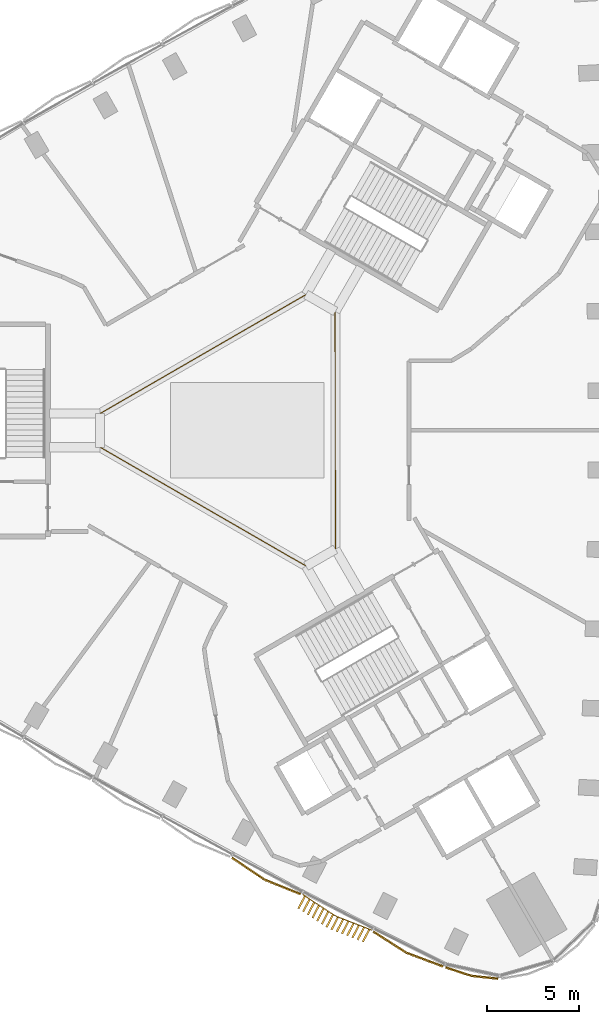
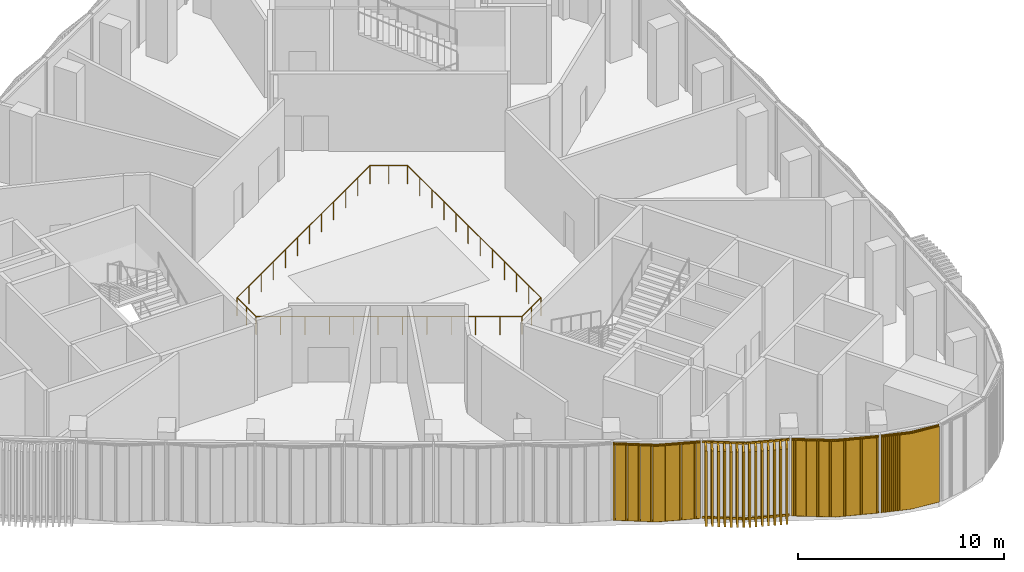
# One storey, part 13 of 17: 4 coverings, 1 railing.
"""IFC4 building model written with IfcOpenShell, lengths in metres."""

import ifcopenshell
import ifcopenshell.guid

model = None  # the IFC model being written
_history = None  # IfcOwnerHistory: only IFC2X3 demands one
_inside = {}  # id of a spatial element -> (the spatial element, [elements in it])
_under = {}  # id of a project, library or spatial element -> (it, [spatial elements below it])
_declared = {}  # id of a project -> (the project, [libraries it declares])
_typed = {}  # id of a type object -> (the type object, [elements of that type])
_made_of = {}  # id of a material, layer set ... -> (it, [elements and type objects made of it])


def new_model(schema):
    """Start an empty IFC model of exactly this schema.

    Asked for "IFC4X3", IfcOpenShell would pick the latest addendum, in which some entities
    have other attributes; the version numbers below select the first issue.
    IFC2X3 requires an IfcOwnerHistory on every rooted entity: one is made here for all.
    """
    global model, _history
    if schema == "IFC4X3":
        model = ifcopenshell.file(schema_version=(4, 3, 0, 0))
    else:
        model = ifcopenshell.file(schema=schema)
    _inside.clear()
    _under.clear()
    _declared.clear()
    _typed.clear()
    _made_of.clear()
    _history = None
    if model.schema == "IFC2X3":
        org = make("IfcOrganization", Name="unknown")
        user = make(
            "IfcPersonAndOrganization",
            ThePerson=make("IfcPerson", FamilyName="unknown"),
            TheOrganization=org,
        )
        app = make(
            "IfcApplication",
            ApplicationDeveloper=org,
            Version="unknown",
            ApplicationFullName="unknown",
            ApplicationIdentifier="unknown",
        )
        _history = make(
            "IfcOwnerHistory",
            OwningUser=user,
            OwningApplication=app,
            ChangeAction="ADDED",
            CreationDate=0,
        )
    return model


def make(cls, **values):
    """One entity of the class cls with the attributes given. An attribute that is None is left unset."""
    return model.create_entity(
        cls, **{name: value for name, value in values.items() if value is not None}
    )


def rooted(cls, **values):
    """An entity with a GlobalId (a new one), such as an element, a storey or a relation."""
    return make(cls, GlobalId=ifcopenshell.guid.new(), OwnerHistory=_history, **values)


def si_unit(unit_type, name, prefix=None):
    """IfcSIUnit, for example si_unit("LENGTHUNIT", "METRE", prefix="MILLI")."""
    return make("IfcSIUnit", UnitType=unit_type, Prefix=prefix, Name=name)


def assignment(units):
    """IfcUnitAssignment: the units of a project."""
    return None if units is None else make("IfcUnitAssignment", Units=units)


def point(xyz):
    """IfcCartesianPoint."""
    return None if xyz is None else make("IfcCartesianPoint", Coordinates=xyz)


def direction(xyz):
    """IfcDirection."""
    return None if xyz is None else make("IfcDirection", DirectionRatios=xyz)


def frame(location, z_axis=None, x_axis=None):
    """IfcAxis2Placement3D, a coordinate frame: its origin and axes. An axis left out is left unset."""
    return make(
        "IfcAxis2Placement3D",
        Location=point(location),
        Axis=direction(z_axis),
        RefDirection=direction(x_axis),
    )


def frame_2d(location, x_axis=None):
    """IfcAxis2Placement2D, a coordinate frame in the plane: its origin and x axis."""
    return make(
        "IfcAxis2Placement2D", Location=point(location), RefDirection=direction(x_axis)
    )


def origin():
    """The frame at (0, 0, 0) with its axes left unset."""
    return frame((0.0, 0.0, 0.0))


def origin_2d():
    """The frame at (0, 0) in the plane with its x axis left unset."""
    return frame_2d((0.0, 0.0))


def place(relative_to, where):
    """IfcLocalPlacement: puts the frame where relative to a parent placement (None: the world)."""
    return make(
        "IfcLocalPlacement", PlacementRelTo=relative_to, RelativePlacement=where
    )


def context(
    kind, dimensions, precision=None, world=None, true_north=None, identifier=None
):
    """IfcGeometricRepresentationContext, for example the 3D "Model" context."""
    return make(
        "IfcGeometricRepresentationContext",
        ContextIdentifier=identifier,
        ContextType=kind,
        CoordinateSpaceDimension=dimensions,
        Precision=precision,
        WorldCoordinateSystem=world,
        TrueNorth=true_north,
    )


def subcontext(parent, identifier, kind, view, scale=None):
    """IfcGeometricRepresentationSubContext, for example "Body" below "Model"."""
    return make(
        "IfcGeometricRepresentationSubContext",
        ContextIdentifier=identifier,
        ContextType=kind,
        ParentContext=parent,
        TargetScale=scale,
        TargetView=view,
    )


def project(units=None, contexts=None):
    """IfcProject with its units and contexts."""
    return rooted(
        "IfcProject",
        Name="project",
        RepresentationContexts=contexts,
        UnitsInContext=assignment(units),
    )


def spatial(cls, under=None, at=None, **own):
    """A site, building, storey or space (cls), placed at a placement, below another one or the project."""
    s = rooted(cls, ObjectPlacement=at, **own)
    if under is not None:
        _under.setdefault(under.id(), (under, []))[1].append(s)
    return s


def profile(cls, at=None, kind="AREA", **sizes):
    """A parametric profile (cls). Its sizes go by their IFC names, for example OverallWidth=200.0."""
    return make(cls, ProfileType=kind, Position=at, **sizes)


def rectangle(**sizes):
    """IfcRectangleProfileDef."""
    return profile("IfcRectangleProfileDef", **sizes)


def circle(**sizes):
    """IfcCircleProfileDef."""
    return profile("IfcCircleProfileDef", **sizes)


def extrude(swept, where, along, depth):
    """IfcExtrudedAreaSolid: the profile swept, set in the frame where, extruded along a direction by depth."""
    return make(
        "IfcExtrudedAreaSolid",
        SweptArea=swept,
        Position=where,
        ExtrudedDirection=direction(along),
        Depth=depth,
    )


def shape(context_of_items, identifier, shape_type, items):
    """IfcShapeRepresentation: the items that make up one representation, for example the "Body"."""
    return make(
        "IfcShapeRepresentation",
        ContextOfItems=context_of_items,
        RepresentationIdentifier=identifier,
        RepresentationType=shape_type,
        Items=items,
    )


def source(mapping_origin, context_of_items, identifier, shape_type, items):
    """IfcRepresentationMap: a shape defined once, which mapped items show again and again."""
    return make(
        "IfcRepresentationMap",
        MappingOrigin=mapping_origin,
        MappedRepresentation=shape(context_of_items, identifier, shape_type, items),
    )


def transform(
    local_origin,
    x_axis=None,
    y_axis=None,
    z_axis=None,
    scale=None,
    scale2=None,
    scale3=None,
    uniform=True,
):
    """IfcCartesianTransformationOperator3D, or its non-uniform kind. x_axis, y_axis, z_axis: its Axis1, 2, 3."""
    if uniform:
        return make(
            "IfcCartesianTransformationOperator3D",
            Axis1=direction(x_axis),
            Axis2=direction(y_axis),
            LocalOrigin=point(local_origin),
            Scale=scale,
            Axis3=direction(z_axis),
        )
    return make(
        "IfcCartesianTransformationOperator3DnonUniform",
        Axis1=direction(x_axis),
        Axis2=direction(y_axis),
        LocalOrigin=point(local_origin),
        Scale=scale,
        Axis3=direction(z_axis),
        Scale2=scale2,
        Scale3=scale3,
    )


def mapped(mapping_source, mapping_target):
    """IfcMappedItem: shows the shape of a source again, moved by a transform."""
    return make(
        "IfcMappedItem", MappingSource=mapping_source, MappingTarget=mapping_target
    )


def material(Name=None, Category=None):
    """IfcMaterial."""
    return make("IfcMaterial", Name=Name, Category=Category)


def made_of(thing, what):
    """Note that an element or type object is made of a material, layer set ...; save() writes the relation."""
    if what is not None:
        _made_of.setdefault(what.id(), (what, []))[1].append(thing)
    return thing


def type_object(cls, material=None, **own):
    """A type object (cls), such as IfcWallType, which elements share."""
    return made_of(rooted(cls, **own), material)


def element(
    cls,
    number,
    at=None,
    inside=None,
    cuts=None,
    type_object=None,
    material=None,
    context=None,
    identifier="Body",
    shape_type=None,
    held_by="IfcProductDefinitionShape",
    body=None,
    shapes=None,
    **own,
):
    """One element of the class cls, such as IfcWall. Its Tag is "e" and its number.

    at: its placement. inside: the storey or other place that contains it. cuts: it is an
    opening in that element (IfcRelVoidsElement). A single representation is given by context,
    identifier, shape_type and body (its items); several are given by shapes. held_by: the class
    of the entity that holds the representations. save() writes the other relations.
    """
    e = rooted(cls, Tag="e%d" % number, ObjectPlacement=at, **own)
    if body is not None:
        shapes = [shape(context, identifier, shape_type, body)]
    if shapes is not None:
        e.Representation = make(held_by, Representations=shapes)
    if inside is not None:
        _inside.setdefault(inside.id(), (inside, []))[1].append(e)
    if cuts is not None:
        rooted(
            "IfcRelVoidsElement", RelatingBuildingElement=cuts, RelatedOpeningElement=e
        )
    if type_object is not None:
        _typed.setdefault(type_object.id(), (type_object, []))[1].append(e)
    return made_of(e, material)


def aggregate(whole, parts):
    """IfcRelAggregates: a whole, such as a stair, and the parts it consists of."""
    return rooted("IfcRelAggregates", RelatingObject=whole, RelatedObjects=parts)


def save(model, path):
    """Write the relations noted so far, then the file.

    IfcRelAggregates (storeys below a building ...), IfcRelContainedInSpatialStructure (elements
    in a storey), IfcRelDefinesByType, IfcRelAssociatesMaterial and IfcRelDeclares: one each for
    every whole, place, type object, material and project.
    """
    for whole, parts in _under.values():
        aggregate(whole, parts)
    for where, things in _inside.values():
        rooted(
            "IfcRelContainedInSpatialStructure",
            RelatedElements=things,
            RelatingStructure=where,
        )
    for kind, things in _typed.values():
        rooted("IfcRelDefinesByType", RelatedObjects=things, RelatingType=kind)
    for what, things in _made_of.values():
        rooted("IfcRelAssociatesMaterial", RelatedObjects=things, RelatingMaterial=what)
    for by, libraries in _declared.values():
        rooted("IfcRelDeclares", RelatingContext=by, RelatedDefinitions=libraries)
    model.write(path)


model = new_model("IFC4")

# Units and contexts
model_context = context("Model", 3, precision=1e-05, world=origin(), true_north=direction((0.0, 1.0)))
body_context = subcontext(model_context, "Body", "Model", "MODEL_VIEW")
ifc_project = project(units=[si_unit("LENGTHUNIT", "METRE"), si_unit("AREAUNIT", "SQUARE_METRE"), si_unit("VOLUMEUNIT", "CUBIC_METRE"), si_unit("PLANEANGLEUNIT", "RADIAN"), si_unit("MASSUNIT", "GRAM", prefix="KILO")], contexts=[model_context])

# Site, building, storey
site_placement = place(None, origin())
site = spatial("IfcSite", under=ifc_project, at=site_placement, CompositionType="ELEMENT")
building_placement = place(site_placement, origin())
building = spatial("IfcBuilding", under=site, at=building_placement, Name="Tamra Quay Hotel Tower", CompositionType="ELEMENT")
storey_placement = place(building_placement, frame((0.0, 0.0, 123.800048828125)))
storey = spatial("IfcBuildingStorey", under=building, at=storey_placement, Name="L30", CompositionType="ELEMENT", Elevation=123.800048828125)

# Railing
ifc_material_1 = material(Name="Guard atrium edge 1100")
railing_type = type_object("IfcRailingType", Name="Guard atrium edge 1100", PredefinedType="GUARDRAIL", material=ifc_material_1)
railing_placement = place(storey_placement, frame((-7.990966796875, -0.925048828125, 0.0)))
element("IfcRailing", 1, at=railing_placement, inside=storey, type_object=railing_type, Name="G-A", PredefinedType="GUARDRAIL", context=body_context, shape_type="SweptSolid", body=[
    extrude(circle(Radius=0.02392578125, at=origin_2d()), frame((0.0, 0.0, 1.076171875), z_axis=(-0.003313434429, 0.999994510561, 0.0), x_axis=(-0.999994510561, -0.003313434429, 0.0)), (0.0, 0.0, 1.0), 1.842041015625),
    extrude(circle(Radius=0.02392578125, at=origin_2d()), frame((-0.006103515625, 1.842041015625, 1.076171875), z_axis=(0.865889083284, 0.500236039734, 0.0), x_axis=(-0.500236039734, 0.865889083284, 0.0)), (0.0, 0.0, 1.0), 12.919677734375),
    extrude(circle(Radius=0.02392578125, at=origin_2d()), frame((11.180908203125, 8.304931640625, 1.076171875), z_axis=(0.868234958541, -0.496153259353, 0.0), x_axis=(0.496153259353, 0.868234958541, 0.0)), (0.0, 0.0, 1.0), 1.8359375),
    extrude(circle(Radius=0.02392578125, at=origin_2d()), frame((12.77490234375, 7.39404296875, 1.076171875), z_axis=(0.001019771721, -0.999999480033, 0.0), x_axis=(0.999999480033, 0.001019771721, 0.0)), (0.0, 0.0, 1.0), 12.927978515625),
    extrude(circle(Radius=0.02392578125, at=origin_2d()), frame((12.7880859375, -5.533935546875, 1.076171875), z_axis=(-0.864949182157, -0.501859454714, 0.0), x_axis=(0.501859454714, -0.864949182157, 0.0)), (0.0, 0.0, 1.0), 1.8349609375),
    extrude(circle(Radius=0.02392578125, at=origin_2d()), frame((11.200927734375, -6.454833984375, 1.076171875), z_axis=(-0.870613690949, 0.491967276485, 0.0), x_axis=(-0.491967276485, -0.870613690949, 0.0)), (0.0, 0.0, 1.0), 1.072998046875),
    extrude(circle(Radius=0.02392578125, at=origin_2d()), frame((10.266845703125, -5.927001953125, 1.076171875), z_axis=(-0.866014375458, 0.500019101135, 0.0), x_axis=(-0.500019101135, -0.866014375458, 0.0)), (0.0, 0.0, 1.0), 11.849609375),
    extrude(circle(Radius=0.02392578125, at=origin_2d()), frame((0.0048828125, -0.001953125, 1.076171875), z_axis=(-0.928476690885, 0.371390676354, 0.0), x_axis=(-0.371390676354, -0.928476690885, 0.0)), (0.0, 0.0, 1.0), 0.00537109375),
    extrude(circle(Radius=0.02099609375, at=origin_2d()), origin(), (0.0, 0.0, 1.0), 1.052001953125),
    extrude(circle(Radius=0.02099609375, at=origin_2d()), frame((-0.0029296875, 0.9208984375, 0.0)), (0.0, 0.0, 1.0), 1.052001953125),
    extrude(circle(Radius=0.02099609375, at=origin_2d()), frame((-0.006103515625, 1.842041015625, 0.0)), (0.0, 0.0, 1.0), 1.052001953125),
    extrude(circle(Radius=0.02099609375, at=origin_2d()), frame((1.010986328125, 2.4296875, 0.0)), (0.0, 0.0, 1.0), 1.052001953125),
    extrude(circle(Radius=0.02099609375, at=origin_2d()), frame((2.02783203125, 3.01708984375, 0.0)), (0.0, 0.0, 1.0), 1.052001953125),
    extrude(circle(Radius=0.02099609375, at=origin_2d()), frame((3.044921875, 3.604736328125, 0.0)), (0.0, 0.0, 1.0), 1.052001953125),
    extrude(circle(Radius=0.02099609375, at=origin_2d()), frame((4.06201171875, 4.192138671875, 0.0)), (0.0, 0.0, 1.0), 1.052001953125),
    extrude(circle(Radius=0.02099609375, at=origin_2d()), frame((5.078857421875, 4.77978515625, 0.0)), (0.0, 0.0, 1.0), 1.052001953125),
    extrude(circle(Radius=0.02099609375, at=origin_2d()), frame((6.095947265625, 5.3671875, 0.0)), (0.0, 0.0, 1.0), 1.052001953125),
    extrude(circle(Radius=0.02099609375, at=origin_2d()), frame((7.11279296875, 5.954833984375, 0.0)), (0.0, 0.0, 1.0), 1.052001953125),
    extrude(circle(Radius=0.02099609375, at=origin_2d()), frame((8.1298828125, 6.542236328125, 0.0)), (0.0, 0.0, 1.0), 1.052001953125),
    extrude(circle(Radius=0.02099609375, at=origin_2d()), frame((9.14697265625, 7.1298828125, 0.0)), (0.0, 0.0, 1.0), 1.052001953125),
    extrude(circle(Radius=0.02099609375, at=origin_2d()), frame((10.163818359375, 7.71728515625, 0.0)), (0.0, 0.0, 1.0), 1.052001953125),
    extrude(circle(Radius=0.02099609375, at=origin_2d()), frame((11.180908203125, 8.304931640625, 0.0)), (0.0, 0.0, 1.0), 1.052001953125),
    extrude(circle(Radius=0.02099609375, at=origin_2d()), frame((11.97802734375, 7.849609375, 0.0)), (0.0, 0.0, 1.0), 1.052001953125),
    extrude(circle(Radius=0.02099609375, at=origin_2d()), frame((12.77490234375, 7.39404296875, 0.0)), (0.0, 0.0, 1.0), 1.052001953125),
    extrude(circle(Radius=0.02099609375, at=origin_2d()), frame((12.776123046875, 6.21875, 0.0)), (0.0, 0.0, 1.0), 1.052001953125),
    extrude(circle(Radius=0.02099609375, at=origin_2d()), frame((12.77734375, 5.04345703125, 0.0)), (0.0, 0.0, 1.0), 1.052001953125),
    extrude(circle(Radius=0.02099609375, at=origin_2d()), frame((12.778564453125, 3.8681640625, 0.0)), (0.0, 0.0, 1.0), 1.052001953125),
    extrude(circle(Radius=0.02099609375, at=origin_2d()), frame((12.77978515625, 2.69287109375, 0.0)), (0.0, 0.0, 1.0), 1.052001953125),
    extrude(circle(Radius=0.02099609375, at=origin_2d()), frame((12.781005859375, 1.517578125, 0.0)), (0.0, 0.0, 1.0), 1.052001953125),
    extrude(circle(Radius=0.02099609375, at=origin_2d()), frame((12.781982421875, 0.342529296875, 0.0)), (0.0, 0.0, 1.0), 1.052001953125),
    extrude(circle(Radius=0.02099609375, at=origin_2d()), frame((12.783203125, -0.832763671875, 0.0)), (0.0, 0.0, 1.0), 1.052001953125),
    extrude(circle(Radius=0.02099609375, at=origin_2d()), frame((12.784423828125, -2.008056640625, 0.0)), (0.0, 0.0, 1.0), 1.052001953125),
    extrude(circle(Radius=0.02099609375, at=origin_2d()), frame((12.78564453125, -3.183349609375, 0.0)), (0.0, 0.0, 1.0), 1.052001953125),
    extrude(circle(Radius=0.02099609375, at=origin_2d()), frame((12.786865234375, -4.358642578125, 0.0)), (0.0, 0.0, 1.0), 1.052001953125),
    extrude(circle(Radius=0.02099609375, at=origin_2d()), frame((12.7880859375, -5.533935546875, 0.0)), (0.0, 0.0, 1.0), 1.052001953125),
    extrude(circle(Radius=0.02099609375, at=origin_2d()), frame((11.99462890625, -5.994384765625, 0.0)), (0.0, 0.0, 1.0), 1.052001953125),
    extrude(circle(Radius=0.02099609375, at=origin_2d()), frame((11.200927734375, -6.454833984375, 0.0)), (0.0, 0.0, 1.0), 1.052001953125),
    extrude(circle(Radius=0.02099609375, at=origin_2d()), frame((10.266845703125, -5.927001953125, 0.0)), (0.0, 0.0, 1.0), 1.052001953125),
    extrude(circle(Radius=0.02099609375, at=origin_2d()), frame((9.24072265625, -5.33447265625, 0.0)), (0.0, 0.0, 1.0), 1.052001953125),
    extrude(circle(Radius=0.02099609375, at=origin_2d()), frame((8.21435546875, -4.741943359375, 0.0)), (0.0, 0.0, 1.0), 1.052001953125),
    extrude(circle(Radius=0.02099609375, at=origin_2d()), frame((7.188232421875, -4.1494140625, 0.0)), (0.0, 0.0, 1.0), 1.052001953125),
    extrude(circle(Radius=0.02099609375, at=origin_2d()), frame((6.162109375, -3.556884765625, 0.0)), (0.0, 0.0, 1.0), 1.052001953125),
    extrude(circle(Radius=0.02099609375, at=origin_2d()), frame((5.1357421875, -2.96435546875, 0.0)), (0.0, 0.0, 1.0), 1.052001953125),
    extrude(circle(Radius=0.02099609375, at=origin_2d()), frame((4.109619140625, -2.3720703125, 0.0)), (0.0, 0.0, 1.0), 1.052001953125),
    extrude(circle(Radius=0.02099609375, at=origin_2d()), frame((3.08349609375, -1.779541015625, 0.0)), (0.0, 0.0, 1.0), 1.052001953125),
    extrude(circle(Radius=0.02099609375, at=origin_2d()), frame((2.057373046875, -1.18701171875, 0.0)), (0.0, 0.0, 1.0), 1.052001953125),
    extrude(circle(Radius=0.02099609375, at=origin_2d()), frame((1.031005859375, -0.594482421875, 0.0)), (0.0, 0.0, 1.0), 1.052001953125),
    extrude(circle(Radius=0.02099609375, at=origin_2d()), frame((0.0048828125, -0.001953125, 0.0)), (0.0, 0.0, 1.0), 1.052001953125),
])

# Coverings
ifc_material_2 = material(Name="Terracotta baguette extruded", Category="masonry")
covering_type_1 = type_object("IfcCoveringType", Name="BAGUETTE SCREEN CORNER-SHALLOW H4600", PredefinedType="USERDEFINED", material=ifc_material_2)
shared_shape_1 = source(origin(), body_context, "Body", "SweptSolid", [
    extrude(rectangle(XDim=1.480712890625, YDim=0.06005859375, at=frame_2d((0.740234375, 0.030029296875))), frame((-1.478759765625, -0.0576171875, -0.1201171875), z_axis=(0.0, 0.0, 1.0), x_axis=(0.994521895368, -0.104528463268, 0.0)), (0.0, 0.0, 1.0), 0.1201171875),
    extrude(rectangle(XDim=1.480712890625, YDim=0.06005859375, at=frame_2d((0.740234375, 0.030029296875))), frame((-1.478759765625, -0.0576171875, -4.60009765625), z_axis=(0.0, 0.0, 1.0), x_axis=(0.994521895368, -0.104528463268, 0.0)), (0.0, 0.0, 1.0), 0.1201171875),
    extrude(rectangle(XDim=0.094970703125, YDim=0.10009765625, at=frame_2d((0.04736328125, 0.050048828125))), frame((-1.470947265625, -0.133056640625, -4.5400390625)), (0.0, 0.0, 1.0), 4.47998046875),
    extrude(rectangle(XDim=0.094970703125, YDim=0.10009765625, at=frame_2d((0.04736328125, 0.050048828125))), frame((-1.372802734375, -0.1435546875, -4.5400390625)), (0.0, 0.0, 1.0), 4.47998046875),
    extrude(rectangle(XDim=0.094970703125, YDim=0.10009765625, at=frame_2d((0.04736328125, 0.050048828125))), frame((-1.274658203125, -0.15380859375, -4.5400390625)), (0.0, 0.0, 1.0), 4.47998046875),
    extrude(rectangle(XDim=0.094970703125, YDim=0.10009765625, at=frame_2d((0.04736328125, 0.050048828125))), frame((-1.176513671875, -0.1640625, -4.5400390625)), (0.0, 0.0, 1.0), 4.47998046875),
    extrude(rectangle(XDim=0.094970703125, YDim=0.10009765625, at=frame_2d((0.04736328125, 0.050048828125))), frame((-1.078369140625, -0.17431640625, -4.5400390625)), (0.0, 0.0, 1.0), 4.47998046875),
    extrude(rectangle(XDim=0.094970703125, YDim=0.10009765625, at=frame_2d((0.04736328125, 0.050048828125))), frame((-0.97998046875, -0.184814453125, -4.5400390625)), (0.0, 0.0, 1.0), 4.47998046875),
    extrude(rectangle(XDim=0.094970703125, YDim=0.10009765625, at=frame_2d((0.04736328125, 0.050048828125))), frame((-0.8818359375, -0.195068359375, -4.5400390625)), (0.0, 0.0, 1.0), 4.47998046875),
    extrude(rectangle(XDim=0.094970703125, YDim=0.10009765625, at=frame_2d((0.04736328125, 0.050048828125))), frame((-0.78369140625, -0.205322265625, -4.5400390625)), (0.0, 0.0, 1.0), 4.47998046875),
    extrude(rectangle(XDim=0.094970703125, YDim=0.10009765625, at=frame_2d((0.04736328125, 0.050048828125))), frame((-0.685546875, -0.2158203125, -4.5400390625)), (0.0, 0.0, 1.0), 4.47998046875),
    extrude(rectangle(XDim=0.094970703125, YDim=0.10009765625, at=frame_2d((0.04736328125, 0.050048828125))), frame((-0.58740234375, -0.22607421875, -4.5400390625)), (0.0, 0.0, 1.0), 4.47998046875),
    extrude(rectangle(XDim=0.094970703125, YDim=0.10009765625, at=frame_2d((0.04736328125, 0.050048828125))), frame((-0.4892578125, -0.236328125, -4.5400390625)), (0.0, 0.0, 1.0), 4.47998046875),
    extrude(rectangle(XDim=0.094970703125, YDim=0.10009765625, at=frame_2d((0.04736328125, 0.050048828125))), frame((-0.39111328125, -0.24658203125, -4.5400390625)), (0.0, 0.0, 1.0), 4.47998046875),
    extrude(rectangle(XDim=0.094970703125, YDim=0.10009765625, at=frame_2d((0.04736328125, 0.050048828125))), frame((-0.29296875, -0.257080078125, -4.5400390625)), (0.0, 0.0, 1.0), 4.47998046875),
    extrude(rectangle(XDim=0.094970703125, YDim=0.10009765625, at=frame_2d((0.04736328125, 0.050048828125))), frame((-0.19482421875, -0.267333984375, -4.5400390625)), (0.0, 0.0, 1.0), 4.47998046875),
    extrude(rectangle(XDim=0.094970703125, YDim=0.10009765625, at=frame_2d((0.04736328125, 0.050048828125))), frame((-0.0966796875, -0.277587890625, -4.5400390625)), (0.0, 0.0, 1.0), 4.47998046875),
    extrude(rectangle(XDim=1.480712890625, YDim=0.06005859375, at=frame_2d((0.740234375, 0.030029296875))), frame((0.00634765625, -0.21240234375, -0.1201171875), z_axis=(0.0, 0.0, 1.0), x_axis=(0.994521895368, 0.104528463268, 0.0)), (0.0, 0.0, 1.0), 0.1201171875),
    extrude(rectangle(XDim=1.480712890625, YDim=0.06005859375, at=frame_2d((0.740234375, 0.030029296875))), frame((0.00634765625, -0.21240234375, -4.60009765625), z_axis=(0.0, 0.0, 1.0), x_axis=(0.994521895368, 0.104528463268, 0.0)), (0.0, 0.0, 1.0), 0.1201171875),
    extrude(rectangle(XDim=0.094970703125, YDim=0.10009765625, at=frame_2d((0.04736328125, 0.050048828125))), frame((0.00146484375, -0.277587890625, -4.5400390625)), (0.0, 0.0, 1.0), 4.47998046875),
    extrude(rectangle(XDim=0.094970703125, YDim=0.10009765625, at=frame_2d((0.04736328125, 0.050048828125))), frame((0.099853515625, -0.267333984375, -4.5400390625)), (0.0, 0.0, 1.0), 4.47998046875),
    extrude(rectangle(XDim=0.094970703125, YDim=0.10009765625, at=frame_2d((0.04736328125, 0.050048828125))), frame((0.197998046875, -0.257080078125, -4.5400390625)), (0.0, 0.0, 1.0), 4.47998046875),
    extrude(rectangle(XDim=0.094970703125, YDim=0.10009765625, at=frame_2d((0.04736328125, 0.050048828125))), frame((0.296142578125, -0.24658203125, -4.5400390625)), (0.0, 0.0, 1.0), 4.47998046875),
    extrude(rectangle(XDim=0.094970703125, YDim=0.10009765625, at=frame_2d((0.04736328125, 0.050048828125))), frame((0.394287109375, -0.236328125, -4.5400390625)), (0.0, 0.0, 1.0), 4.47998046875),
    extrude(rectangle(XDim=0.094970703125, YDim=0.10009765625, at=frame_2d((0.04736328125, 0.050048828125))), frame((0.492431640625, -0.22607421875, -4.5400390625)), (0.0, 0.0, 1.0), 4.47998046875),
    extrude(rectangle(XDim=0.094970703125, YDim=0.10009765625, at=frame_2d((0.04736328125, 0.050048828125))), frame((0.590576171875, -0.2158203125, -4.5400390625)), (0.0, 0.0, 1.0), 4.47998046875),
    extrude(rectangle(XDim=0.094970703125, YDim=0.10009765625, at=frame_2d((0.04736328125, 0.050048828125))), frame((0.688720703125, -0.205322265625, -4.5400390625)), (0.0, 0.0, 1.0), 4.47998046875),
    extrude(rectangle(XDim=0.094970703125, YDim=0.10009765625, at=frame_2d((0.04736328125, 0.050048828125))), frame((0.786865234375, -0.195068359375, -4.5400390625)), (0.0, 0.0, 1.0), 4.47998046875),
    extrude(rectangle(XDim=0.094970703125, YDim=0.10009765625, at=frame_2d((0.04736328125, 0.050048828125))), frame((0.885009765625, -0.184814453125, -4.5400390625)), (0.0, 0.0, 1.0), 4.47998046875),
    extrude(rectangle(XDim=0.094970703125, YDim=0.10009765625, at=frame_2d((0.04736328125, 0.050048828125))), frame((0.983154296875, -0.17431640625, -4.5400390625)), (0.0, 0.0, 1.0), 4.47998046875),
    extrude(rectangle(XDim=0.094970703125, YDim=0.10009765625, at=frame_2d((0.04736328125, 0.050048828125))), frame((1.081298828125, -0.1640625, -4.5400390625)), (0.0, 0.0, 1.0), 4.47998046875),
    extrude(rectangle(XDim=0.094970703125, YDim=0.10009765625, at=frame_2d((0.04736328125, 0.050048828125))), frame((1.1796875, -0.15380859375, -4.5400390625)), (0.0, 0.0, 1.0), 4.47998046875),
    extrude(rectangle(XDim=0.094970703125, YDim=0.10009765625, at=frame_2d((0.04736328125, 0.050048828125))), frame((1.27783203125, -0.1435546875, -4.5400390625)), (0.0, 0.0, 1.0), 4.47998046875),
    extrude(rectangle(XDim=0.094970703125, YDim=0.10009765625, at=frame_2d((0.04736328125, 0.050048828125))), frame((1.3759765625, -0.133056640625, -4.5400390625)), (0.0, 0.0, 1.0), 4.47998046875),
])
covering_1_placement = place(storey_placement, frame((12.231689453125, -29.460205078125, 4.599853515625), z_axis=(0.0, 0.0, 1.0), x_axis=(0.97746458206, -0.211099480856, 0.0)))
element("IfcCovering", 2, at=covering_1_placement, inside=storey, type_object=covering_type_1, Name="Baguette screen L30.SW.c11", ObjectType="BAGUETTE SCREEN", PredefinedType="USERDEFINED", context=body_context, shape_type="MappedRepresentation", body=[
    mapped(shared_shape_1, transform((0.0, 0.0, 0.0), scale=1.0)),
])
covering_type_2 = type_object("IfcCoveringType", Name="BAGUETTE SCREEN SW-SHALLOW H4600", PredefinedType="USERDEFINED", material=ifc_material_2)
shared_shape_2 = source(origin(), body_context, "Body", "SweptSolid", [
    extrude(rectangle(XDim=2.13427734375, YDim=0.06005859375, at=frame_2d((1.067138671875, 0.030029296875))), frame((-2.128662109375, -0.0576171875, -0.1201171875), z_axis=(0.0, 0.0, 1.0), x_axis=(0.994521895368, -0.104528463268, 0.0)), (0.0, 0.0, 1.0), 0.1201171875),
    extrude(rectangle(XDim=2.13427734375, YDim=0.06005859375, at=frame_2d((1.067138671875, 0.030029296875))), frame((-2.128662109375, -0.0576171875, -4.60009765625), z_axis=(0.0, 0.0, 1.0), x_axis=(0.994521895368, -0.104528463268, 0.0)), (0.0, 0.0, 1.0), 0.1201171875),
    extrude(rectangle(XDim=0.094970703125, YDim=0.10009765625, at=frame_2d((0.04736328125, 0.050048828125))), frame((-2.119384765625, -0.13330078125, -4.5400390625)), (0.0, 0.0, 1.0), 4.47998046875),
    extrude(rectangle(XDim=0.094970703125, YDim=0.10009765625, at=frame_2d((0.04736328125, 0.050048828125))), frame((-2.018310546875, -0.14404296875, -4.5400390625)), (0.0, 0.0, 1.0), 4.47998046875),
    extrude(rectangle(XDim=0.094970703125, YDim=0.10009765625, at=frame_2d((0.04736328125, 0.050048828125))), frame((-1.917236328125, -0.154541015625, -4.5400390625)), (0.0, 0.0, 1.0), 4.47998046875),
    extrude(rectangle(XDim=0.094970703125, YDim=0.10009765625, at=frame_2d((0.04736328125, 0.050048828125))), frame((-1.816162109375, -0.165283203125, -4.5400390625)), (0.0, 0.0, 1.0), 4.47998046875),
    extrude(rectangle(XDim=0.094970703125, YDim=0.10009765625, at=frame_2d((0.04736328125, 0.050048828125))), frame((-1.715087890625, -0.17578125, -4.5400390625)), (0.0, 0.0, 1.0), 4.47998046875),
    extrude(rectangle(XDim=0.094970703125, YDim=0.10009765625, at=frame_2d((0.04736328125, 0.050048828125))), frame((-1.614013671875, -0.1865234375, -4.5400390625)), (0.0, 0.0, 1.0), 4.47998046875),
    extrude(rectangle(XDim=0.094970703125, YDim=0.10009765625, at=frame_2d((0.04736328125, 0.050048828125))), frame((-1.512939453125, -0.197021484375, -4.5400390625)), (0.0, 0.0, 1.0), 4.47998046875),
    extrude(rectangle(XDim=0.094970703125, YDim=0.10009765625, at=frame_2d((0.04736328125, 0.050048828125))), frame((-1.411865234375, -0.207763671875, -4.5400390625)), (0.0, 0.0, 1.0), 4.47998046875),
    extrude(rectangle(XDim=0.094970703125, YDim=0.10009765625, at=frame_2d((0.04736328125, 0.050048828125))), frame((-1.310791015625, -0.21826171875, -4.5400390625)), (0.0, 0.0, 1.0), 4.47998046875),
    extrude(rectangle(XDim=0.094970703125, YDim=0.10009765625, at=frame_2d((0.04736328125, 0.050048828125))), frame((-1.209716796875, -0.22900390625, -4.5400390625)), (0.0, 0.0, 1.0), 4.47998046875),
    extrude(rectangle(XDim=0.094970703125, YDim=0.10009765625, at=frame_2d((0.04736328125, 0.050048828125))), frame((-1.108642578125, -0.239501953125, -4.5400390625)), (0.0, 0.0, 1.0), 4.47998046875),
    extrude(rectangle(XDim=0.094970703125, YDim=0.10009765625, at=frame_2d((0.04736328125, 0.050048828125))), frame((-1.007568359375, -0.250244140625, -4.5400390625)), (0.0, 0.0, 1.0), 4.47998046875),
    extrude(rectangle(XDim=0.094970703125, YDim=0.10009765625, at=frame_2d((0.04736328125, 0.050048828125))), frame((-0.906494140625, -0.2607421875, -4.5400390625)), (0.0, 0.0, 1.0), 4.47998046875),
    extrude(rectangle(XDim=0.094970703125, YDim=0.10009765625, at=frame_2d((0.04736328125, 0.050048828125))), frame((-0.805419921875, -0.271484375, -4.5400390625)), (0.0, 0.0, 1.0), 4.47998046875),
    extrude(rectangle(XDim=0.094970703125, YDim=0.10009765625, at=frame_2d((0.04736328125, 0.050048828125))), frame((-0.704345703125, -0.281982421875, -4.5400390625)), (0.0, 0.0, 1.0), 4.47998046875),
    extrude(rectangle(XDim=0.094970703125, YDim=0.10009765625, at=frame_2d((0.04736328125, 0.050048828125))), frame((-0.603271484375, -0.292724609375, -4.5400390625)), (0.0, 0.0, 1.0), 4.47998046875),
    extrude(rectangle(XDim=0.094970703125, YDim=0.10009765625, at=frame_2d((0.04736328125, 0.050048828125))), frame((-0.50244140625, -0.30322265625, -4.5400390625)), (0.0, 0.0, 1.0), 4.47998046875),
    extrude(rectangle(XDim=0.094970703125, YDim=0.10009765625, at=frame_2d((0.04736328125, 0.050048828125))), frame((-0.4013671875, -0.31396484375, -4.5400390625)), (0.0, 0.0, 1.0), 4.47998046875),
    extrude(rectangle(XDim=0.094970703125, YDim=0.10009765625, at=frame_2d((0.04736328125, 0.050048828125))), frame((-0.30029296875, -0.324462890625, -4.5400390625)), (0.0, 0.0, 1.0), 4.47998046875),
    extrude(rectangle(XDim=0.094970703125, YDim=0.10009765625, at=frame_2d((0.04736328125, 0.050048828125))), frame((-0.19921875, -0.335205078125, -4.5400390625)), (0.0, 0.0, 1.0), 4.47998046875),
    extrude(rectangle(XDim=0.094970703125, YDim=0.10009765625, at=frame_2d((0.04736328125, 0.050048828125))), frame((-0.09814453125, -0.345703125, -4.5400390625)), (0.0, 0.0, 1.0), 4.47998046875),
    extrude(rectangle(XDim=2.13427734375, YDim=0.06005859375, at=frame_2d((1.067138671875, 0.030029296875))), frame((0.00634765625, -0.28076171875, -0.1201171875), z_axis=(0.0, 0.0, 1.0), x_axis=(0.994521895368, 0.104528463268, 0.0)), (0.0, 0.0, 1.0), 0.1201171875),
    extrude(rectangle(XDim=2.13427734375, YDim=0.06005859375, at=frame_2d((1.067138671875, 0.030029296875))), frame((0.00634765625, -0.28076171875, -4.60009765625), z_axis=(0.0, 0.0, 1.0), x_axis=(0.994521895368, 0.104528463268, 0.0)), (0.0, 0.0, 1.0), 0.1201171875),
    extrude(rectangle(XDim=0.094970703125, YDim=0.10009765625, at=frame_2d((0.04736328125, 0.050048828125))), frame((0.0029296875, -0.345703125, -4.5400390625)), (0.0, 0.0, 1.0), 4.47998046875),
    extrude(rectangle(XDim=0.094970703125, YDim=0.10009765625, at=frame_2d((0.04736328125, 0.050048828125))), frame((0.10400390625, -0.335205078125, -4.5400390625)), (0.0, 0.0, 1.0), 4.47998046875),
    extrude(rectangle(XDim=0.094970703125, YDim=0.10009765625, at=frame_2d((0.04736328125, 0.050048828125))), frame((0.205078125, -0.324462890625, -4.5400390625)), (0.0, 0.0, 1.0), 4.47998046875),
    extrude(rectangle(XDim=0.094970703125, YDim=0.10009765625, at=frame_2d((0.04736328125, 0.050048828125))), frame((0.30615234375, -0.31396484375, -4.5400390625)), (0.0, 0.0, 1.0), 4.47998046875),
    extrude(rectangle(XDim=0.094970703125, YDim=0.10009765625, at=frame_2d((0.04736328125, 0.050048828125))), frame((0.4072265625, -0.30322265625, -4.5400390625)), (0.0, 0.0, 1.0), 4.47998046875),
    extrude(rectangle(XDim=0.094970703125, YDim=0.10009765625, at=frame_2d((0.04736328125, 0.050048828125))), frame((0.50830078125, -0.292724609375, -4.5400390625)), (0.0, 0.0, 1.0), 4.47998046875),
    extrude(rectangle(XDim=0.094970703125, YDim=0.10009765625, at=frame_2d((0.04736328125, 0.050048828125))), frame((0.609375, -0.281982421875, -4.5400390625)), (0.0, 0.0, 1.0), 4.47998046875),
    extrude(rectangle(XDim=0.094970703125, YDim=0.10009765625, at=frame_2d((0.04736328125, 0.050048828125))), frame((0.71044921875, -0.271484375, -4.5400390625)), (0.0, 0.0, 1.0), 4.47998046875),
    extrude(rectangle(XDim=0.094970703125, YDim=0.10009765625, at=frame_2d((0.04736328125, 0.050048828125))), frame((0.8115234375, -0.2607421875, -4.5400390625)), (0.0, 0.0, 1.0), 4.47998046875),
    extrude(rectangle(XDim=0.094970703125, YDim=0.10009765625, at=frame_2d((0.04736328125, 0.050048828125))), frame((0.91259765625, -0.250244140625, -4.5400390625)), (0.0, 0.0, 1.0), 4.47998046875),
    extrude(rectangle(XDim=0.094970703125, YDim=0.10009765625, at=frame_2d((0.04736328125, 0.050048828125))), frame((1.013671875, -0.239501953125, -4.5400390625)), (0.0, 0.0, 1.0), 4.47998046875),
    extrude(rectangle(XDim=0.094970703125, YDim=0.10009765625, at=frame_2d((0.04736328125, 0.050048828125))), frame((1.11474609375, -0.22900390625, -4.5400390625)), (0.0, 0.0, 1.0), 4.47998046875),
    extrude(rectangle(XDim=0.094970703125, YDim=0.10009765625, at=frame_2d((0.04736328125, 0.050048828125))), frame((1.2158203125, -0.21826171875, -4.5400390625)), (0.0, 0.0, 1.0), 4.47998046875),
    extrude(rectangle(XDim=0.094970703125, YDim=0.10009765625, at=frame_2d((0.04736328125, 0.050048828125))), frame((1.31689453125, -0.207763671875, -4.5400390625)), (0.0, 0.0, 1.0), 4.47998046875),
    extrude(rectangle(XDim=0.094970703125, YDim=0.10009765625, at=frame_2d((0.04736328125, 0.050048828125))), frame((1.41796875, -0.197021484375, -4.5400390625)), (0.0, 0.0, 1.0), 4.47998046875),
    extrude(rectangle(XDim=0.094970703125, YDim=0.10009765625, at=frame_2d((0.04736328125, 0.050048828125))), frame((1.51904296875, -0.1865234375, -4.5400390625)), (0.0, 0.0, 1.0), 4.47998046875),
    extrude(rectangle(XDim=0.094970703125, YDim=0.10009765625, at=frame_2d((0.04736328125, 0.050048828125))), frame((1.6201171875, -0.17578125, -4.5400390625)), (0.0, 0.0, 1.0), 4.47998046875),
    extrude(rectangle(XDim=0.094970703125, YDim=0.10009765625, at=frame_2d((0.04736328125, 0.050048828125))), frame((1.72119140625, -0.165283203125, -4.5400390625)), (0.0, 0.0, 1.0), 4.47998046875),
    extrude(rectangle(XDim=0.094970703125, YDim=0.10009765625, at=frame_2d((0.04736328125, 0.050048828125))), frame((1.822265625, -0.154541015625, -4.5400390625)), (0.0, 0.0, 1.0), 4.47998046875),
    extrude(rectangle(XDim=0.094970703125, YDim=0.10009765625, at=frame_2d((0.04736328125, 0.050048828125))), frame((1.92333984375, -0.14404296875, -4.5400390625)), (0.0, 0.0, 1.0), 4.47998046875),
    extrude(rectangle(XDim=0.094970703125, YDim=0.10009765625, at=frame_2d((0.04736328125, 0.050048828125))), frame((2.0244140625, -0.13330078125, -4.5400390625)), (0.0, 0.0, 1.0), 4.47998046875),
])
for number, where, z_axis, x_axis, name in (
    (3, (1.068359375, -24.184814453125, 4.599853515625), (0.0, 0.0, 1.0), (0.883391256151, -0.468636200647, 0.0), "Baguette screen L30.SW.f08"),
    (4, (8.783935546875, -28.16064453125, 4.599853515625), (0.0, 0.0, 1.0), (0.894304738207, -0.447458417309, 0.0), "Baguette screen L30.SW.f10"),
):
    element("IfcCovering", number, at=place(storey_placement, frame(where, z_axis=z_axis, x_axis=x_axis)), inside=storey, type_object=covering_type_2, Name=name, ObjectType="BAGUETTE SCREEN", PredefinedType="USERDEFINED", context=body_context, shape_type="MappedRepresentation", body=[
        mapped(shared_shape_2, transform((0.0, 0.0, 0.0), scale=1.0)),
    ])
covering_type_3 = type_object("IfcCoveringType", Name="BAGUETTE SCREEN SW-DEEP H4600", PredefinedType="USERDEFINED", material=ifc_material_2)
shared_shape_3 = source(origin(), body_context, "Body", "SweptSolid", [
    extrude(rectangle(XDim=2.13427734375, YDim=0.06005859375, at=frame_2d((1.067138671875, 0.030029296875))), frame((-2.128662109375, -0.0576171875, -0.1201171875), z_axis=(0.0, 0.0, 1.0), x_axis=(0.994521895368, -0.104528463268, 0.0)), (0.0, 0.0, 1.0), 0.1201171875),
    extrude(rectangle(XDim=2.13427734375, YDim=0.06005859375, at=frame_2d((1.067138671875, 0.030029296875))), frame((-2.128662109375, -0.0576171875, -4.60009765625), z_axis=(0.0, 0.0, 1.0), x_axis=(0.994521895368, -0.104528463268, 0.0)), (0.0, 0.0, 1.0), 0.1201171875),
    extrude(rectangle(XDim=0.10009765625, YDim=0.780029296875, at=frame_2d((0.050048828125, 0.39013671875))), frame((-2.02099609375, -0.823974609375, -4.5400390625)), (0.0, 0.0, 1.0), 4.47998046875),
    extrude(rectangle(XDim=0.10009765625, YDim=0.780029296875, at=frame_2d((0.050048828125, 0.39013671875))), frame((-1.7177734375, -0.855712890625, -4.5400390625)), (0.0, 0.0, 1.0), 4.47998046875),
    extrude(rectangle(XDim=0.10009765625, YDim=0.780029296875, at=frame_2d((0.050048828125, 0.39013671875))), frame((-1.41455078125, -0.8876953125, -4.5400390625)), (0.0, 0.0, 1.0), 4.47998046875),
    extrude(rectangle(XDim=0.10009765625, YDim=0.780029296875, at=frame_2d((0.050048828125, 0.39013671875))), frame((-1.111328125, -0.91943359375, -4.5400390625)), (0.0, 0.0, 1.0), 4.47998046875),
    extrude(rectangle(XDim=0.10009765625, YDim=0.780029296875, at=frame_2d((0.050048828125, 0.39013671875))), frame((-0.80810546875, -0.951416015625, -4.5400390625)), (0.0, 0.0, 1.0), 4.47998046875),
    extrude(rectangle(XDim=0.10009765625, YDim=0.780029296875, at=frame_2d((0.050048828125, 0.39013671875))), frame((-0.5048828125, -0.9833984375, -4.5400390625)), (0.0, 0.0, 1.0), 4.47998046875),
    extrude(rectangle(XDim=0.10009765625, YDim=0.780029296875, at=frame_2d((0.050048828125, 0.39013671875))), frame((-0.20166015625, -1.01513671875, -4.5400390625)), (0.0, 0.0, 1.0), 4.47998046875),
    extrude(rectangle(XDim=2.13427734375, YDim=0.06005859375, at=frame_2d((1.067138671875, 0.030029296875))), frame((0.00634765625, -0.28076171875, -0.1201171875), z_axis=(0.0, 0.0, 1.0), x_axis=(0.994521895368, 0.104528463268, 0.0)), (0.0, 0.0, 1.0), 0.1201171875),
    extrude(rectangle(XDim=2.13427734375, YDim=0.06005859375, at=frame_2d((1.067138671875, 0.030029296875))), frame((0.00634765625, -0.28076171875, -4.60009765625), z_axis=(0.0, 0.0, 1.0), x_axis=(0.994521895368, 0.104528463268, 0.0)), (0.0, 0.0, 1.0), 0.1201171875),
    extrude(rectangle(XDim=0.10009765625, YDim=0.780029296875, at=frame_2d((0.050048828125, 0.39013671875))), frame((0.1015625, -1.01513671875, -4.5400390625)), (0.0, 0.0, 1.0), 4.47998046875),
    extrude(rectangle(XDim=0.10009765625, YDim=0.780029296875, at=frame_2d((0.050048828125, 0.39013671875))), frame((0.40478515625, -0.9833984375, -4.5400390625)), (0.0, 0.0, 1.0), 4.47998046875),
    extrude(rectangle(XDim=0.10009765625, YDim=0.780029296875, at=frame_2d((0.050048828125, 0.39013671875))), frame((0.7080078125, -0.951416015625, -4.5400390625)), (0.0, 0.0, 1.0), 4.47998046875),
    extrude(rectangle(XDim=0.10009765625, YDim=0.780029296875, at=frame_2d((0.050048828125, 0.39013671875))), frame((1.01123046875, -0.91943359375, -4.5400390625)), (0.0, 0.0, 1.0), 4.47998046875),
    extrude(rectangle(XDim=0.10009765625, YDim=0.780029296875, at=frame_2d((0.050048828125, 0.39013671875))), frame((1.314453125, -0.8876953125, -4.5400390625)), (0.0, 0.0, 1.0), 4.47998046875),
    extrude(rectangle(XDim=0.10009765625, YDim=0.780029296875, at=frame_2d((0.050048828125, 0.39013671875))), frame((1.61767578125, -0.855712890625, -4.5400390625)), (0.0, 0.0, 1.0), 4.47998046875),
    extrude(rectangle(XDim=0.10009765625, YDim=0.780029296875, at=frame_2d((0.050048828125, 0.39013671875))), frame((1.9208984375, -0.823974609375, -4.5400390625)), (0.0, 0.0, 1.0), 4.47998046875),
])
covering_2_placement = place(storey_placement, frame((4.914306640625, -26.19580078125, 4.599853515625), z_axis=(0.0, 0.0, 1.0), x_axis=(0.888911165736, -0.458079621277, 0.0)))
element("IfcCovering", 5, at=covering_2_placement, inside=storey, type_object=covering_type_3, Name="Baguette screen L30.SW.f09", ObjectType="BAGUETTE SCREEN", PredefinedType="USERDEFINED", context=body_context, shape_type="MappedRepresentation", body=[
    mapped(shared_shape_3, transform((0.0, 0.0, 0.0), scale=1.0)),
])

save(model, "model.ifc")
